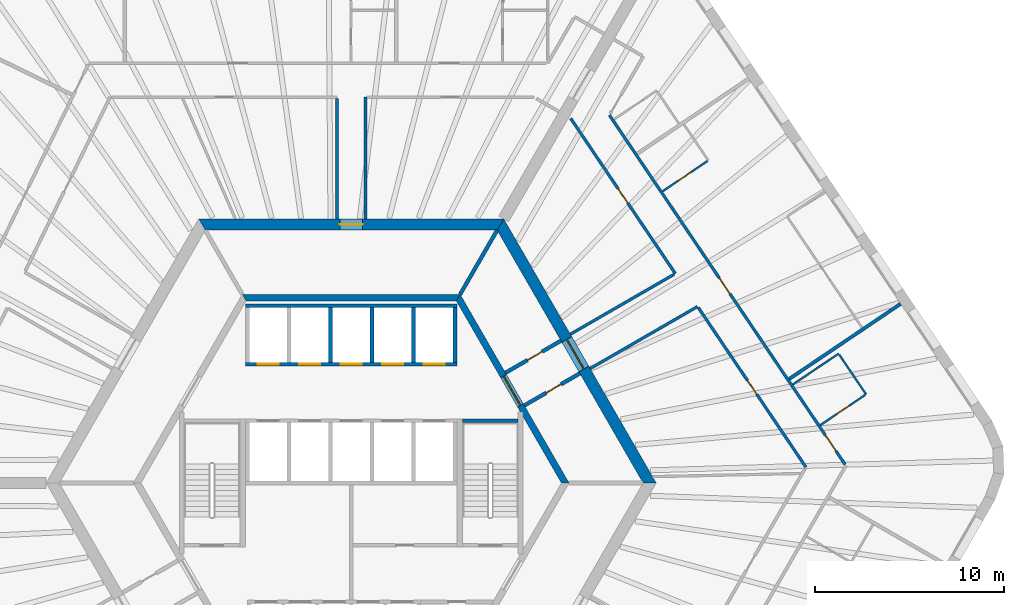
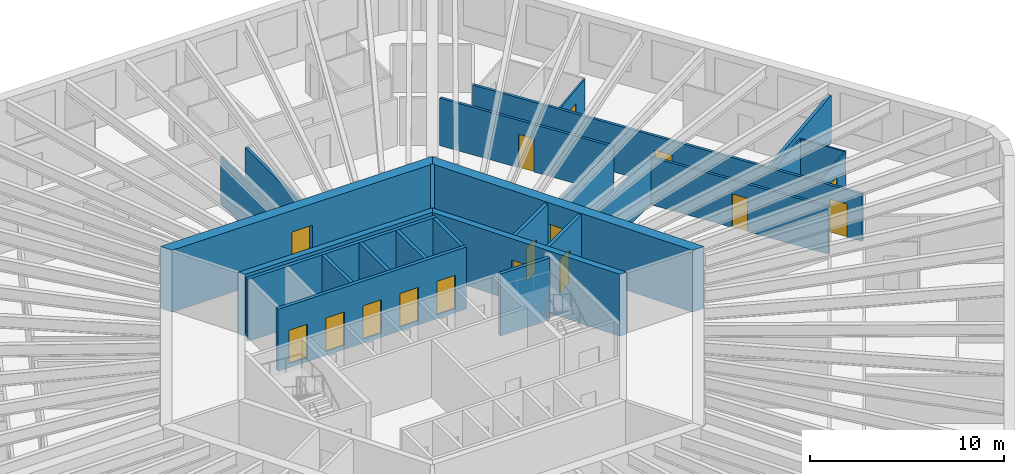
# One storey, part 9 of 12: 26 walls, 16 doors, 16 openings.
"""IFC4 building model written with IfcOpenShell, lengths in metres."""

from ifc_helpers import new_model, si_unit, direction, frame, frame_2d, origin, place, context, subcontext, project, spatial, polyline, rectangle, outline, extrude, material, layer, layer_set, type_object, element, fill, save


model = new_model("IFC4")

# Units and contexts
model_context = context("Model", 3, precision=1e-05, world=origin(), true_north=direction((0.0, 1.0)))
body_context = subcontext(model_context, "Body", "Model", "MODEL_VIEW")
ifc_project = project(units=[si_unit("LENGTHUNIT", "METRE"), si_unit("AREAUNIT", "SQUARE_METRE"), si_unit("VOLUMEUNIT", "CUBIC_METRE"), si_unit("PLANEANGLEUNIT", "RADIAN"), si_unit("MASSUNIT", "GRAM", prefix="KILO")], contexts=[model_context])

# Site, building, storey
site_placement = place(None, origin())
site = spatial("IfcSite", under=ifc_project, at=site_placement, CompositionType="ELEMENT")
building_placement = place(site_placement, origin())
building = spatial("IfcBuilding", under=site, at=building_placement, Name="Tarnside Tower", CompositionType="ELEMENT")
storey_placement = place(building_placement, frame((0.0, 0.0, 96.0)))
storey = spatial("IfcBuildingStorey", under=building, at=storey_placement, Name="L21", CompositionType="ELEMENT", Elevation=96.0)

# Walls
ifc_material_1 = material(Name="Gypsum board partition on steel studs", Category="steel")
ifc_layer_1 = layer(ifc_material_1, 0.10009765625)
ifc_layer_set_1 = layer_set([ifc_layer_1], Name="Bathroom wall 100")
wall_type_1 = type_object("IfcWallType", Name="Bathroom wall 100", PredefinedType="PARTITIONING", material=ifc_layer_set_1)
wall_1_placement = place(storey_placement, frame((23.407470703125, 5.220703125, 0.0), z_axis=(0.0, 0.0, 1.0), x_axis=(0.829007334469, 0.559237730663, 0.0)))
element("IfcWall", 1, at=wall_1_placement, inside=storey, type_object=wall_type_1, Name="Bathroom wall 06149", PredefinedType="PARTITIONING", context=body_context, shape_type="SweptSolid", body=[
    extrude(rectangle(XDim=2.925048828125, YDim=0.10009765625, at=frame_2d((1.46240234375, 0.0))), origin(), (0.0, 0.0, 1.0), 2.98779296875),
])
wall_2_placement = place(storey_placement, frame((25.8603515625, 6.81494140625, 0.0), z_axis=(0.0, 0.0, 1.0), x_axis=(0.559155442782, -0.829062838878, 0.0)))
element("IfcWall", 2, at=wall_2_placement, inside=storey, type_object=wall_type_1, Name="Bathroom wall 06150", PredefinedType="PARTITIONING", context=body_context, shape_type="SweptSolid", body=[
    extrude(rectangle(XDim=2.5498046875, YDim=0.10009765625, at=frame_2d((1.27490234375, 0.0))), origin(), (0.0, 0.0, 1.0), 2.98779296875),
])

# Wall, opening, door
wall_3_placement = place(storey_placement, frame((27.244873046875, 4.6728515625, 0.0), z_axis=(0.0, 0.0, 1.0), x_axis=(-0.82904649496, -0.559179675234, 0.0)))
wall_3 = element("IfcWall", 3, at=wall_3_placement, inside=storey, type_object=wall_type_1, Name="Bathroom wall 06151", PredefinedType="PARTITIONING", context=body_context, shape_type="SweptSolid", body=[
    extrude(rectangle(XDim=2.875, YDim=0.10009765625, at=frame_2d((1.4375, 0.0))), origin(), (0.0, 0.0, 1.0), 2.98779296875),
])
opening_1_placement = place(wall_3_placement, frame((1.050048828125, 0.0, 0.0)))
opening_1 = element("IfcOpeningElement", 4, at=opening_1_placement, cuts=wall_3, Name="Opening D-B1", PredefinedType="OPENING", context=body_context, shape_type="SweptSolid", body=[
    extrude(rectangle(XDim=0.800048828125, YDim=2.10009765625, at=frame_2d((0.39990234375, 1.050048828125))), frame((0.0, 0.06005859375, 0.0), z_axis=(0.0, -1.0, 0.0), x_axis=(1.0, 0.0, 0.0)), (0.0, 0.0, 1.0), 0.1201171875),
])
ifc_material_2 = material(Name="Timber door leaf", Category="wood")
door_type_1 = type_object("IfcDoorType", Name="Bathroom door 800", OperationType="NOTDEFINED", PredefinedType="DOOR", material=ifc_material_2)
door_1_placement = place(opening_1_placement, origin())
door_1 = element("IfcDoor", 5, at=door_1_placement, inside=storey, type_object=door_type_1, Name="Bathroom door 06036", OperationType="SINGLE_SWING_LEFT", OverallHeight=2.10009765625, OverallWidth=0.800048828125, PredefinedType="DOOR", context=body_context, shape_type="SweptSolid", body=[
    extrude(rectangle(XDim=0.800048828125, YDim=2.10009765625, at=frame_2d((0.39990234375, 1.050048828125))), frame((0.0, 0.02490234375, 0.0), z_axis=(0.0, -1.0, 0.0), x_axis=(1.0, 0.0, 0.0)), (0.0, 0.0, 1.0), 0.050048828125),
])
fill(opening_1, door_1)

wall_4_placement = place(storey_placement, frame((18.884765625, 17.06689453125, 0.0), z_axis=(0.0, 0.0, 1.0), x_axis=(-0.829019940088, -0.55921904379, 0.0)))
wall_4 = element("IfcWall", 6, at=wall_4_placement, inside=storey, type_object=wall_type_1, Name="Bathroom wall 06155", PredefinedType="PARTITIONING", context=body_context, shape_type="SweptSolid", body=[
    extrude(rectangle(XDim=2.874755859375, YDim=0.10009765625, at=frame_2d((1.4375, 0.0))), origin(), (0.0, 0.0, 1.0), 2.98779296875),
])
opening_2_placement = place(wall_4_placement, frame((1.050048828125, 0.0, 0.0)))
opening_2 = element("IfcOpeningElement", 7, at=opening_2_placement, cuts=wall_4, Name="Opening D-B1", PredefinedType="OPENING", context=body_context, shape_type="SweptSolid", body=[
    extrude(rectangle(XDim=0.800048828125, YDim=2.10009765625, at=frame_2d((0.39990234375, 1.050048828125))), frame((0.0, 0.06005859375, 0.0), z_axis=(0.0, -1.0, 0.0), x_axis=(1.0, 0.0, 0.0)), (0.0, 0.0, 1.0), 0.1201171875),
])
door_2_placement = place(opening_2_placement, origin())
door_2 = element("IfcDoor", 8, at=door_2_placement, inside=storey, type_object=door_type_1, Name="Bathroom door 06038", OperationType="SINGLE_SWING_LEFT", OverallHeight=2.10009765625, OverallWidth=0.800048828125, PredefinedType="DOOR", context=body_context, shape_type="SweptSolid", body=[
    extrude(rectangle(XDim=0.800048828125, YDim=2.10009765625, at=frame_2d((0.39990234375, 1.050048828125))), frame((0.0, 0.02490234375, 0.0), z_axis=(0.0, -1.0, 0.0), x_axis=(1.0, 0.0, 0.0)), (0.0, 0.0, 1.0), 0.050048828125),
])
fill(opening_2, door_2)

ifc_material_3 = material(Name="Concrete C50/60", Category="concrete")
ifc_layer_2 = layer(ifc_material_3, 0.35009765625)
ifc_layer_set_2 = layer_set([ifc_layer_2], Name="Core block wall 350 C50/60")
wall_type_2 = type_object("IfcWallType", Name="Core block wall 350 C50/60", PredefinedType="SHEAR", material=ifc_layer_set_2)
wall_5_placement = place(storey_placement, frame((11.344970703125, 0.0, -0.14990234375), z_axis=(0.0, 0.0, 1.0), x_axis=(-0.499995046907, 0.866028263435, 0.0)))
wall_5 = element("IfcWall", 9, at=wall_5_placement, inside=storey, type_object=wall_type_2, Name="L21 core block wall face 6", PredefinedType="SHEAR", context=body_context, shape_type="SweptSolid", body=[
    extrude(outline(polyline([(-0.10107421875, -0.175048828125), (11.44580078125, -0.175048828125), (11.24365234375, 0.175048828125), (0.10107421875, 0.175048828125), (-0.10107421875, -0.175048828125)])), origin(), (0.0, 0.0, 1.0), 3.89990234375),
])
opening_3_placement = place(wall_5_placement, frame((4.74365234375, 0.0, 0.14990234375)))
opening_3 = element("IfcOpeningElement", 10, at=opening_3_placement, cuts=wall_5, Name="Opening CD-LOB", PredefinedType="OPENING", context=body_context, shape_type="SweptSolid", body=[
    extrude(rectangle(XDim=1.800048828125, YDim=2.39990234375, at=frame_2d((0.89990234375, 1.199951171875))), frame((0.0, 0.18505859375, 0.0), z_axis=(0.0, -1.0, 0.0), x_axis=(1.0, 0.0, 0.0)), (0.0, 0.0, 1.0), 0.3701171875),
])
ifc_material_4 = material(Name="Steel fire door", Category="steel")
door_type_2 = type_object("IfcDoorType", Name="Lobby double door FD30S 1800x2400", OperationType="NOTDEFINED", PredefinedType="DOOR", material=ifc_material_4)
door_3_placement = place(opening_3_placement, origin())
door_3 = element("IfcDoor", 11, at=door_3_placement, inside=storey, type_object=door_type_2, Name="L21 lobby block door P2", OperationType="DOUBLE_DOOR_SINGLE_SWING", OverallHeight=2.39990234375, OverallWidth=1.800048828125, PredefinedType="DOOR", context=body_context, shape_type="SweptSolid", body=[
    extrude(rectangle(XDim=1.800048828125, YDim=2.39990234375, at=frame_2d((0.89990234375, 1.199951171875))), frame((0.0, 0.02490234375, 0.0), z_axis=(0.0, -1.0, 0.0), x_axis=(1.0, 0.0, 0.0)), (0.0, 0.0, 1.0), 0.050048828125),
])
fill(opening_3, door_3)

# Wall
wall_6_placement = place(storey_placement, frame((5.672607421875, 9.824951171875, -0.14990234375), z_axis=(0.0, 0.0, 1.0), x_axis=(-1.0, 0.0, 0.0)))
element("IfcWall", 12, at=wall_6_placement, inside=storey, type_object=wall_type_2, Name="L21 core block wall face 1", PredefinedType="SHEAR", context=body_context, shape_type="SweptSolid", body=[
    extrude(outline(polyline([(-0.10107421875, -0.175048828125), (11.4462890625, -0.175048828125), (11.244140625, 0.175048828125), (0.10107421875, 0.175048828125), (-0.10107421875, -0.175048828125)])), origin(), (0.0, 0.0, 1.0), 3.89990234375),
])

# Wall, opening, door
ifc_material_5 = material(Name="Concrete C40/50", Category="concrete")
ifc_layer_3 = layer(ifc_material_5, 0.199951171875)
ifc_layer_set_3 = layer_set([ifc_layer_3], Name="Core room partition 200 C40/50")
wall_type_3 = type_object("IfcWallType", Name="Core room partition 200 C40/50", PredefinedType="PARTITIONING", material=ifc_layer_set_3)
wall_7_placement = place(storey_placement, frame((8.1748046875, 5.841064453125, 0.0), z_axis=(0.0, 0.0, 1.0), x_axis=(0.866020560687, 0.500008388397, 0.0)))
wall_7 = element("IfcWall", 13, at=wall_7_placement, inside=storey, type_object=wall_type_3, Name="L21 core partition AC5L", PredefinedType="PARTITIONING", context=body_context, shape_type="SweptSolid", body=[
    extrude(rectangle(XDim=3.39990234375, YDim=0.199951171875, at=frame_2d((1.699951171875, 0.0))), origin(), (0.0, 0.0, 1.0), 3.64990234375),
])
opening_4_placement = place(wall_7_placement, frame((1.349609375, 0.0, 0.0)))
opening_4 = element("IfcOpeningElement", 14, at=opening_4_placement, cuts=wall_7, Name="Opening CD-room", PredefinedType="OPENING", context=body_context, shape_type="SweptSolid", body=[
    extrude(rectangle(XDim=0.89990234375, YDim=2.10009765625, at=frame_2d((0.449951171875, 1.050048828125))), frame((0.0, 0.10986328125, 0.0), z_axis=(0.0, -1.0, 0.0), x_axis=(1.0, 0.0, 0.0)), (0.0, 0.0, 1.0), 0.219970703125),
])
door_type_3 = type_object("IfcDoorType", Name="Room door FD60 900x2100", OperationType="NOTDEFINED", PredefinedType="DOOR", material=ifc_material_4)
door_4_placement = place(opening_4_placement, origin())
door_4 = element("IfcDoor", 15, at=door_4_placement, inside=storey, type_object=door_type_3, Name="L21 core room door AX5L", OperationType="SINGLE_SWING_LEFT", OverallHeight=2.10009765625, OverallWidth=0.89990234375, PredefinedType="DOOR", context=body_context, shape_type="SweptSolid", body=[
    extrude(rectangle(XDim=0.89990234375, YDim=2.10009765625, at=frame_2d((0.449951171875, 1.050048828125))), frame((0.0, 0.02490234375, 0.0), z_axis=(0.0, -1.0, 0.0), x_axis=(1.0, 0.0, 0.0)), (0.0, 0.0, 1.0), 0.050048828125),
])
fill(opening_4, door_4)

wall_8_placement = place(storey_placement, frame((9.1748046875, 4.10888671875, 0.0), z_axis=(0.0, 0.0, 1.0), x_axis=(0.865989465428, 0.500062241894, 0.0)))
wall_8 = element("IfcWall", 16, at=wall_8_placement, inside=storey, type_object=wall_type_3, Name="L21 core partition AC5R", PredefinedType="PARTITIONING", context=body_context, shape_type="SweptSolid", body=[
    extrude(rectangle(XDim=3.39990234375, YDim=0.199951171875, at=frame_2d((1.699951171875, 0.0))), origin(), (0.0, 0.0, 1.0), 3.64990234375),
])
opening_5_placement = place(wall_8_placement, frame((1.3505859375, 0.0, 0.0)))
opening_5 = element("IfcOpeningElement", 17, at=opening_5_placement, cuts=wall_8, Name="Opening CD-room", PredefinedType="OPENING", context=body_context, shape_type="SweptSolid", body=[
    extrude(rectangle(XDim=0.89990234375, YDim=2.10009765625, at=frame_2d((0.449951171875, 1.050048828125))), frame((0.0, 0.10986328125, 0.0), z_axis=(0.0, -1.0, 0.0), x_axis=(1.0, 0.0, 0.0)), (0.0, 0.0, 1.0), 0.219970703125),
])
door_5_placement = place(opening_5_placement, origin())
door_5 = element("IfcDoor", 18, at=door_5_placement, inside=storey, type_object=door_type_3, Name="L21 core room door AX5R", OperationType="SINGLE_SWING_LEFT", OverallHeight=2.10009765625, OverallWidth=0.89990234375, PredefinedType="DOOR", context=body_context, shape_type="SweptSolid", body=[
    extrude(rectangle(XDim=0.89990234375, YDim=2.10009765625, at=frame_2d((0.449951171875, 1.050048828125))), frame((0.0, 0.02490234375, 0.0), z_axis=(0.0, -1.0, 0.0), x_axis=(1.0, 0.0, 0.0)), (0.0, 0.0, 1.0), 0.050048828125),
])
fill(opening_5, door_5)

ifc_material_6 = material(Name="Concrete C80/95", Category="concrete")
ifc_layer_4 = layer(ifc_material_6, 0.60009765625)
ifc_layer_set_4 = layer_set([ifc_layer_4], Name="Core wall Z1 600 C80/95")
wall_type_4 = type_object("IfcWallType", Name="Core wall Z1 600 C80/95", PredefinedType="SHEAR", material=ifc_layer_set_4)
wall_9_placement = place(storey_placement, frame((15.8193359375, 0.0, -0.14990234375), z_axis=(0.0, 0.0, 1.0), x_axis=(-0.499999880136, 0.866025472988, 0.0)))
wall_9 = element("IfcWall", 19, at=wall_9_placement, inside=storey, type_object=wall_type_4, Name="L21 core wall face 6", PredefinedType="SHEAR", context=body_context, shape_type="SweptSolid", body=[
    extrude(outline(polyline([(-0.17333984375, -0.300048828125), (15.99267578125, -0.300048828125), (15.64599609375, 0.300048828125), (0.17333984375, 0.300048828125), (-0.17333984375, -0.300048828125)])), origin(), (0.0, 0.0, 1.0), 3.89990234375),
])
opening_6_placement = place(wall_9_placement, frame((6.980712890625, 0.0, 0.14990234375)))
opening_6 = element("IfcOpeningElement", 20, at=opening_6_placement, cuts=wall_9, Name="Opening CD-LOB", PredefinedType="OPENING", context=body_context, shape_type="SweptSolid", body=[
    extrude(rectangle(XDim=1.800048828125, YDim=2.39990234375, at=frame_2d((0.89990234375, 1.199951171875))), frame((0.0, 0.31005859375, 0.0), z_axis=(0.0, -1.0, 0.0), x_axis=(1.0, 0.0, 0.0)), (0.0, 0.0, 1.0), 0.6201171875),
])
door_6_placement = place(opening_6_placement, origin())
door_6 = element("IfcDoor", 21, at=door_6_placement, inside=storey, type_object=door_type_2, Name="L21 core door P2", OperationType="DOUBLE_DOOR_SINGLE_SWING", OverallHeight=2.39990234375, OverallWidth=1.800048828125, PredefinedType="DOOR", context=body_context, shape_type="SweptSolid", body=[
    extrude(rectangle(XDim=1.800048828125, YDim=2.39990234375, at=frame_2d((0.89990234375, 1.199951171875))), frame((0.0, 0.02490234375, 0.0), z_axis=(0.0, -1.0, 0.0), x_axis=(1.0, 0.0, 0.0)), (0.0, 0.0, 1.0), 0.050048828125),
])
fill(opening_6, door_6)

wall_10_placement = place(storey_placement, frame((7.90966796875, 13.699951171875, -0.14990234375), z_axis=(0.0, 0.0, 1.0), x_axis=(-1.0, 0.0, 0.0)))
wall_10 = element("IfcWall", 22, at=wall_10_placement, inside=storey, type_object=wall_type_4, Name="L21 core wall face 1", PredefinedType="SHEAR", context=body_context, shape_type="SweptSolid", body=[
    extrude(outline(polyline([(-0.17333984375, -0.300048828125), (15.99267578125, -0.300048828125), (15.64599609375, 0.300048828125), (0.17333984375, 0.300048828125), (-0.17333984375, -0.300048828125)])), origin(), (0.0, 0.0, 1.0), 3.89990234375),
])
opening_7_placement = place(wall_10_placement, frame((7.309814453125, 0.0, 0.14990234375)))
opening_7 = element("IfcOpeningElement", 23, at=opening_7_placement, cuts=wall_10, Name="Opening CD-RSR", PredefinedType="OPENING", context=body_context, shape_type="SweptSolid", body=[
    extrude(rectangle(XDim=1.199951171875, YDim=2.39990234375, at=frame_2d((0.60009765625, 1.199951171875))), frame((0.0, 0.31005859375, 0.0), z_axis=(0.0, -1.0, 0.0), x_axis=(1.0, 0.0, 0.0)), (0.0, 0.0, 1.0), 0.6201171875),
])
door_type_4 = type_object("IfcDoorType", Name="Riser door FD60 1200x2400", OperationType="NOTDEFINED", PredefinedType="DOOR", material=ifc_material_4)
door_7_placement = place(opening_7_placement, origin())
door_7 = element("IfcDoor", 24, at=door_7_placement, inside=storey, type_object=door_type_4, Name="L21 core door S5", OperationType="SINGLE_SWING_LEFT", OverallHeight=2.39990234375, OverallWidth=1.199951171875, PredefinedType="DOOR", context=body_context, shape_type="SweptSolid", body=[
    extrude(rectangle(XDim=1.199951171875, YDim=2.39990234375, at=frame_2d((0.60009765625, 1.199951171875))), frame((0.0, 0.02490234375, 0.0), z_axis=(0.0, -1.0, 0.0), x_axis=(1.0, 0.0, 0.0)), (0.0, 0.0, 1.0), 0.050048828125),
])
fill(opening_7, door_7)

# Walls
ifc_layer_5 = layer(ifc_material_1, 0.14990234375)
ifc_layer_set_5 = layer_set([ifc_layer_5], Name="Corridor wall 150 EI 60")
wall_type_5 = type_object("IfcWallType", Name="Corridor wall 150 EI 60", PredefinedType="PARTITIONING", material=ifc_layer_set_5)
wall_11_placement = place(storey_placement, frame((-0.75, 20.375, 0.0), z_axis=(0.0, 0.0, 1.0), x_axis=(0.0, -1.0, 0.0)))
element("IfcWall", 25, at=wall_11_placement, inside=storey, type_object=wall_type_5, Name="Corridor wall 06016", PredefinedType="PARTITIONING", context=body_context, shape_type="SweptSolid", body=[
    extrude(rectangle(XDim=6.375, YDim=0.14990234375, at=frame_2d((3.1875, 0.0))), origin(), (0.0, 0.0, 1.0), 2.98779296875),
])
wall_12_placement = place(storey_placement, frame((0.75, 14.0, 0.0), z_axis=(0.0, 0.0, 1.0), x_axis=(0.0, 1.0, 0.0)))
element("IfcWall", 26, at=wall_12_placement, inside=storey, type_object=wall_type_5, Name="Corridor wall 06020", PredefinedType="PARTITIONING", context=body_context, shape_type="SweptSolid", body=[
    extrude(rectangle(XDim=6.449951171875, YDim=0.14990234375, at=frame_2d((3.22509765625, 0.0))), origin(), (0.0, 0.0, 1.0), 2.98779296875),
])

# Wall, openings, doors
wall_13_placement = place(storey_placement, frame((26.174072265625, 0.98486328125, 0.0), z_axis=(0.0, 0.0, 1.0), x_axis=(-0.559199676409, 0.82903300411, 0.0)))
wall_13 = element("IfcWall", 27, at=wall_13_placement, inside=storey, type_object=wall_type_5, Name="Corridor wall 06056", PredefinedType="PARTITIONING", context=body_context, shape_type="SweptSolid", body=[
    extrude(rectangle(XDim=22.33544921875, YDim=0.14990234375, at=frame_2d((11.167724609375, 0.0))), origin(), (0.0, 0.0, 1.0), 2.98779296875),
])
opening_8_placement = place(wall_13_placement, frame((0.86279296875, 0.0, 0.0)))
opening_8 = element("IfcOpeningElement", 28, at=opening_8_placement, cuts=wall_13, Name="Opening D-E1", PredefinedType="OPENING", context=body_context, shape_type="SweptSolid", body=[
    extrude(rectangle(XDim=1.0, YDim=2.10009765625, at=frame_2d((0.5, 1.050048828125))), frame((0.0, 0.0849609375, 0.0), z_axis=(0.0, -1.0, 0.0), x_axis=(1.0, 0.0, 0.0)), (0.0, 0.0, 1.0), 0.169921875),
])
opening_9_placement = place(wall_13_placement, frame((10.90869140625, 0.0, 0.0)))
opening_9 = element("IfcOpeningElement", 29, at=opening_9_placement, cuts=wall_13, Name="Opening D-E1", PredefinedType="OPENING", context=body_context, shape_type="SweptSolid", body=[
    extrude(rectangle(XDim=1.0, YDim=2.10009765625, at=frame_2d((0.5, 1.050048828125))), frame((0.0, 0.0849609375, 0.0), z_axis=(0.0, -1.0, 0.0), x_axis=(1.0, 0.0, 0.0)), (0.0, 0.0, 1.0), 0.169921875),
])
door_type_5 = type_object("IfcDoorType", Name="Unit entrance door 1000 FD30S", OperationType="NOTDEFINED", PredefinedType="DOOR", material=ifc_material_2)
door_8_placement = place(opening_8_placement, origin())
door_8 = element("IfcDoor", 30, at=door_8_placement, inside=storey, type_object=door_type_5, Name="Unit door 06035", OperationType="SINGLE_SWING_RIGHT", OverallHeight=2.10009765625, OverallWidth=1.0, PredefinedType="DOOR", context=body_context, shape_type="SweptSolid", body=[
    extrude(rectangle(XDim=1.0, YDim=2.10009765625, at=frame_2d((0.5, 1.050048828125))), frame((0.0, 0.02490234375, 0.0), z_axis=(0.0, -1.0, 0.0), x_axis=(1.0, 0.0, 0.0)), (0.0, 0.0, 1.0), 0.050048828125),
])
fill(opening_8, door_8)
door_9_placement = place(opening_9_placement, origin())
door_9 = element("IfcDoor", 31, at=door_9_placement, inside=storey, type_object=door_type_5, Name="Unit door 06037", OperationType="SINGLE_SWING_RIGHT", OverallHeight=2.10009765625, OverallWidth=1.0, PredefinedType="DOOR", context=body_context, shape_type="SweptSolid", body=[
    extrude(rectangle(XDim=1.0, YDim=2.10009765625, at=frame_2d((0.5, 1.050048828125))), frame((0.0, 0.02490234375, 0.0), z_axis=(0.0, -1.0, 0.0), x_axis=(1.0, 0.0, 0.0)), (0.0, 0.0, 1.0), 0.050048828125),
])
fill(opening_9, door_9)

# Wall
wall_14_placement = place(storey_placement, frame((12.663818359375, 6.065673828125, 0.0), z_axis=(0.0, 0.0, 1.0), x_axis=(0.866027295802, 0.499996722915, 0.0)))
element("IfcWall", 32, at=wall_14_placement, inside=storey, type_object=wall_type_5, Name="Corridor wall 06068", PredefinedType="PARTITIONING", context=body_context, shape_type="SweptSolid", body=[
    extrude(rectangle(XDim=6.5751953125, YDim=0.14990234375, at=frame_2d((3.28759765625, 0.0))), origin(), (0.0, 0.0, 1.0), 2.98779296875),
])

# Wall, opening, door
wall_15_placement = place(storey_placement, frame((18.400390625, 9.291015625, 0.0), z_axis=(0.0, 0.0, 1.0), x_axis=(0.559191829043, -0.829038297265, 0.0)))
wall_15 = element("IfcWall", 33, at=wall_15_placement, inside=storey, type_object=wall_type_5, Name="Corridor wall 06069", PredefinedType="PARTITIONING", context=body_context, shape_type="SweptSolid", body=[
    extrude(rectangle(XDim=10.19189453125, YDim=0.14990234375, at=frame_2d((5.095947265625, 0.0))), origin(), (0.0, 0.0, 1.0), 2.98779296875),
])
opening_10_placement = place(wall_15_placement, frame((4.64599609375, 0.0, 0.0)))
opening_10 = element("IfcOpeningElement", 34, at=opening_10_placement, cuts=wall_15, Name="Opening D-S1", PredefinedType="OPENING", context=body_context, shape_type="SweptSolid", body=[
    extrude(rectangle(XDim=0.89990234375, YDim=2.10009765625, at=frame_2d((0.449951171875, 1.050048828125))), frame((0.0, 0.0849609375, 0.0), z_axis=(0.0, -1.0, 0.0), x_axis=(1.0, 0.0, 0.0)), (0.0, 0.0, 1.0), 0.169921875),
])
door_type_6 = type_object("IfcDoorType", Name="Service room door 900 FD30S", OperationType="NOTDEFINED", PredefinedType="DOOR", material=ifc_material_2)
door_10_placement = place(opening_10_placement, origin())
door_10 = element("IfcDoor", 35, at=door_10_placement, inside=storey, type_object=door_type_6, Name="Service door 06051", OperationType="SINGLE_SWING_RIGHT", OverallHeight=2.10009765625, OverallWidth=0.89990234375, PredefinedType="DOOR", context=body_context, shape_type="SweptSolid", body=[
    extrude(rectangle(XDim=0.89990234375, YDim=2.10009765625, at=frame_2d((0.449951171875, 1.050048828125))), frame((0.0, 0.02490234375, 0.0), z_axis=(0.0, -1.0, 0.0), x_axis=(1.0, 0.0, 0.0)), (0.0, 0.0, 1.0), 0.050048828125),
])
fill(opening_10, door_10)

wall_16_placement = place(storey_placement, frame((11.631591796875, 19.326171875, 0.0), z_axis=(0.0, 0.0, 1.0), x_axis=(0.559193968377, -0.829036854266, 0.0)))
wall_16 = element("IfcWall", 36, at=wall_16_placement, inside=storey, type_object=wall_type_5, Name="Corridor wall 06074", PredefinedType="PARTITIONING", context=body_context, shape_type="SweptSolid", body=[
    extrude(rectangle(XDim=9.92431640625, YDim=0.14990234375, at=frame_2d((4.962158203125, 0.0))), origin(), (0.0, 0.0, 1.0), 2.98779296875),
])
opening_11_placement = place(wall_16_placement, frame((4.51220703125, 0.0, 0.0)))
opening_11 = element("IfcOpeningElement", 37, at=opening_11_placement, cuts=wall_16, Name="Opening D-S1", PredefinedType="OPENING", context=body_context, shape_type="SweptSolid", body=[
    extrude(rectangle(XDim=0.89990234375, YDim=2.10009765625, at=frame_2d((0.449951171875, 1.050048828125))), frame((0.0, 0.0849609375, 0.0), z_axis=(0.0, -1.0, 0.0), x_axis=(1.0, 0.0, 0.0)), (0.0, 0.0, 1.0), 0.169921875),
])
door_11_placement = place(opening_11_placement, origin())
door_11 = element("IfcDoor", 38, at=door_11_placement, inside=storey, type_object=door_type_6, Name="Service door 06053", OperationType="SINGLE_SWING_LEFT", OverallHeight=2.10009765625, OverallWidth=0.89990234375, PredefinedType="DOOR", context=body_context, shape_type="SweptSolid", body=[
    extrude(rectangle(XDim=0.89990234375, YDim=2.10009765625, at=frame_2d((0.449951171875, 1.050048828125))), frame((0.0, 0.02490234375, 0.0), z_axis=(0.0, -1.0, 0.0), x_axis=(1.0, 0.0, 0.0)), (0.0, 0.0, 1.0), 0.050048828125),
])
fill(opening_11, door_11)

# Walls
wall_17_placement = place(storey_placement, frame((17.115966796875, 11.06103515625, 0.0), z_axis=(0.0, 0.0, 1.0), x_axis=(-0.866021127751, -0.500007406234, 0.0)))
element("IfcWall", 39, at=wall_17_placement, inside=storey, type_object=wall_type_5, Name="Corridor wall 06075", PredefinedType="PARTITIONING", context=body_context, shape_type="SweptSolid", body=[
    extrude(rectangle(XDim=6.353515625, YDim=0.14990234375, at=frame_2d((3.1767578125, 0.0))), origin(), (0.0, 0.0, 1.0), 2.98779296875),
])
ifc_layer_6 = layer(ifc_material_1, 0.179931640625)
ifc_layer_set_6 = layer_set([ifc_layer_6], Name="Demising wall 180 EI 60")
wall_type_6 = type_object("IfcWallType", Name="Demising wall 180 EI 60", PredefinedType="PARTITIONING", material=ifc_layer_set_6)
wall_18_placement = place(storey_placement, frame((29.11865234375, 9.4951171875, 0.0), z_axis=(0.0, 0.0, 1.0), x_axis=(-0.82903334026, -0.559199178055, 0.0)))
element("IfcWall", 40, at=wall_18_placement, inside=storey, type_object=wall_type_6, Name="Demising wall 06152", PredefinedType="PARTITIONING", context=body_context, shape_type="SweptSolid", body=[
    extrude(rectangle(XDim=7.125244140625, YDim=0.179931640625, at=frame_2d((3.5625, 0.0))), origin(), (0.0, 0.0, 1.0), 2.98779296875),
])

# Wall, openings, doors
ifc_layer_7 = layer(ifc_material_5, 0.199951171875)
ifc_layer_set_7 = layer_set([ifc_layer_7], Name="Lift shaft wall 200 C40/50")
wall_type_7 = type_object("IfcWallType", Name="Lift shaft wall 200 C40/50", PredefinedType="SHEAR", material=ifc_layer_set_7)
wall_19_placement = place(storey_placement, frame((-5.60009765625, 6.300048828125, -0.25), z_axis=(0.0, 0.0, 1.0), x_axis=(1.0, 0.0, 0.0)))
wall_19 = element("IfcWall", 41, at=wall_19_placement, inside=storey, type_object=wall_type_7, Name="L21 lift shaft front wall R1", PredefinedType="SHEAR", context=body_context, shape_type="SweptSolid", body=[
    extrude(rectangle(XDim=11.2001953125, YDim=0.199951171875, at=frame_2d((5.60009765625, 0.0))), origin(), (0.0, 0.0, 1.0), 3.89990234375),
])
opening_12_placement = place(wall_19_placement, frame((0.64990234375, 0.0, 0.25)))
opening_12 = element("IfcOpeningElement", 42, at=opening_12_placement, cuts=wall_19, Name="Opening LD", PredefinedType="OPENING", context=body_context, shape_type="SweptSolid", body=[
    extrude(rectangle(XDim=1.10009765625, YDim=2.10009765625, at=frame_2d((0.550048828125, 1.050048828125))), frame((0.0, 0.10986328125, 0.0), z_axis=(0.0, -1.0, 0.0), x_axis=(1.0, 0.0, 0.0)), (0.0, 0.0, 1.0), 0.219970703125),
])
opening_13_placement = place(wall_19_placement, frame((2.85009765625, 0.0, 0.25)))
opening_13 = element("IfcOpeningElement", 43, at=opening_13_placement, cuts=wall_19, Name="Opening LD", PredefinedType="OPENING", context=body_context, shape_type="SweptSolid", body=[
    extrude(rectangle(XDim=1.10009765625, YDim=2.10009765625, at=frame_2d((0.550048828125, 1.050048828125))), frame((0.0, 0.10986328125, 0.0), z_axis=(0.0, -1.0, 0.0), x_axis=(1.0, 0.0, 0.0)), (0.0, 0.0, 1.0), 0.219970703125),
])
opening_14_placement = place(wall_19_placement, frame((5.050048828125, 0.0, 0.25)))
opening_14 = element("IfcOpeningElement", 44, at=opening_14_placement, cuts=wall_19, Name="Opening LD", PredefinedType="OPENING", context=body_context, shape_type="SweptSolid", body=[
    extrude(rectangle(XDim=1.10009765625, YDim=2.10009765625, at=frame_2d((0.550048828125, 1.050048828125))), frame((0.0, 0.10986328125, 0.0), z_axis=(0.0, -1.0, 0.0), x_axis=(1.0, 0.0, 0.0)), (0.0, 0.0, 1.0), 0.219970703125),
])
opening_15_placement = place(wall_19_placement, frame((7.25, 0.0, 0.25)))
opening_15 = element("IfcOpeningElement", 45, at=opening_15_placement, cuts=wall_19, Name="Opening LD", PredefinedType="OPENING", context=body_context, shape_type="SweptSolid", body=[
    extrude(rectangle(XDim=1.10009765625, YDim=2.10009765625, at=frame_2d((0.550048828125, 1.050048828125))), frame((0.0, 0.10986328125, 0.0), z_axis=(0.0, -1.0, 0.0), x_axis=(1.0, 0.0, 0.0)), (0.0, 0.0, 1.0), 0.219970703125),
])
opening_16_placement = place(wall_19_placement, frame((9.449951171875, 0.0, 0.25)))
opening_16 = element("IfcOpeningElement", 46, at=opening_16_placement, cuts=wall_19, Name="Opening LD", PredefinedType="OPENING", context=body_context, shape_type="SweptSolid", body=[
    extrude(rectangle(XDim=1.10009765625, YDim=2.10009765625, at=frame_2d((0.550048828125, 1.050048828125))), frame((0.0, 0.10986328125, 0.0), z_axis=(0.0, -1.0, 0.0), x_axis=(1.0, 0.0, 0.0)), (0.0, 0.0, 1.0), 0.219970703125),
])
ifc_material_7 = material(Name="Stainless steel", Category="steel")
door_type_7 = type_object("IfcDoorType", Name="Lift landing door 1100x2100", OperationType="NOTDEFINED", PredefinedType="DOOR", material=ifc_material_7)
door_12_placement = place(opening_12_placement, origin())
door_12 = element("IfcDoor", 47, at=door_12_placement, inside=storey, type_object=door_type_7, Name="Low-rise lift 1 landing door L21", OperationType="SLIDING_TO_LEFT", OverallHeight=2.10009765625, OverallWidth=1.10009765625, PredefinedType="DOOR", context=body_context, shape_type="SweptSolid", body=[
    extrude(rectangle(XDim=1.10009765625, YDim=2.10009765625, at=frame_2d((0.550048828125, 1.050048828125))), frame((0.0, 0.02490234375, 0.0), z_axis=(0.0, -1.0, 0.0), x_axis=(1.0, 0.0, 0.0)), (0.0, 0.0, 1.0), 0.050048828125),
])
fill(opening_12, door_12)
door_13_placement = place(opening_13_placement, origin())
door_13 = element("IfcDoor", 48, at=door_13_placement, inside=storey, type_object=door_type_7, Name="Low-rise lift 2 landing door L21", OperationType="SLIDING_TO_LEFT", OverallHeight=2.10009765625, OverallWidth=1.10009765625, PredefinedType="DOOR", context=body_context, shape_type="SweptSolid", body=[
    extrude(rectangle(XDim=1.10009765625, YDim=2.10009765625, at=frame_2d((0.550048828125, 1.050048828125))), frame((0.0, 0.02490234375, 0.0), z_axis=(0.0, -1.0, 0.0), x_axis=(1.0, 0.0, 0.0)), (0.0, 0.0, 1.0), 0.050048828125),
])
fill(opening_13, door_13)
door_14_placement = place(opening_14_placement, origin())
door_14 = element("IfcDoor", 49, at=door_14_placement, inside=storey, type_object=door_type_7, Name="Low-rise lift 3 landing door L21", OperationType="SLIDING_TO_LEFT", OverallHeight=2.10009765625, OverallWidth=1.10009765625, PredefinedType="DOOR", context=body_context, shape_type="SweptSolid", body=[
    extrude(rectangle(XDim=1.10009765625, YDim=2.10009765625, at=frame_2d((0.550048828125, 1.050048828125))), frame((0.0, 0.02490234375, 0.0), z_axis=(0.0, -1.0, 0.0), x_axis=(1.0, 0.0, 0.0)), (0.0, 0.0, 1.0), 0.050048828125),
])
fill(opening_14, door_14)
door_15_placement = place(opening_15_placement, origin())
door_15 = element("IfcDoor", 50, at=door_15_placement, inside=storey, type_object=door_type_7, Name="Low sky-lobby shuttle 1 landing door L21", OperationType="SLIDING_TO_LEFT", OverallHeight=2.10009765625, OverallWidth=1.10009765625, PredefinedType="DOOR", context=body_context, shape_type="SweptSolid", body=[
    extrude(rectangle(XDim=1.10009765625, YDim=2.10009765625, at=frame_2d((0.550048828125, 1.050048828125))), frame((0.0, 0.02490234375, 0.0), z_axis=(0.0, -1.0, 0.0), x_axis=(1.0, 0.0, 0.0)), (0.0, 0.0, 1.0), 0.050048828125),
])
fill(opening_15, door_15)
door_16_placement = place(opening_16_placement, origin())
door_16 = element("IfcDoor", 51, at=door_16_placement, inside=storey, type_object=door_type_7, Name="Low sky-lobby shuttle 2 landing door L21", OperationType="SLIDING_TO_LEFT", OverallHeight=2.10009765625, OverallWidth=1.10009765625, PredefinedType="DOOR", context=body_context, shape_type="SweptSolid", body=[
    extrude(rectangle(XDim=1.10009765625, YDim=2.10009765625, at=frame_2d((0.550048828125, 1.050048828125))), frame((0.0, 0.02490234375, 0.0), z_axis=(0.0, -1.0, 0.0), x_axis=(1.0, 0.0, 0.0)), (0.0, 0.0, 1.0), 0.050048828125),
])
fill(opening_16, door_16)

# Walls
wall_20_placement = place(storey_placement, frame((-5.60009765625, 9.39990234375, -0.25), z_axis=(0.0, 0.0, 1.0), x_axis=(1.0, 0.0, 0.0)))
element("IfcWall", 52, at=wall_20_placement, inside=storey, type_object=wall_type_7, Name="L21 lift shaft back wall R1", PredefinedType="SHEAR", context=body_context, shape_type="SweptSolid", body=[
    extrude(rectangle(XDim=11.2001953125, YDim=0.199951171875, at=frame_2d((5.60009765625, 0.0))), origin(), (0.0, 0.0, 1.0), 3.89990234375),
])
for number, where, z_axis, x_axis, name in (
    (53, (-1.10009765625, 6.39990234375, -0.25), (0.0, 0.0, 1.0), (0.0, 1.0, 0.0), "L21 lift shaft partition R13"),
    (54, (1.10009765625, 6.39990234375, -0.25), (0.0, 0.0, 1.0), (0.0, 1.0, 0.0), "L21 lift shaft partition R14"),
    (55, (3.300048828125, 6.39990234375, -0.25), (0.0, 0.0, 1.0), (0.0, 1.0, 0.0), "L21 lift shaft partition R15"),
    (56, (5.5, 6.39990234375, -0.25), (0.0, 0.0, 1.0), (0.0, 1.0, 0.0), "L21 lift shaft partition R16"),
):
    element("IfcWall", number, at=place(storey_placement, frame(where, z_axis=z_axis, x_axis=x_axis)), inside=storey, type_object=wall_type_7, Name=name, PredefinedType="SHEAR", context=body_context, shape_type="SweptSolid", body=[
        extrude(rectangle(XDim=2.900146484375, YDim=0.199951171875, at=frame_2d((1.4501953125, 0.0))), origin(), (0.0, 0.0, 1.0), 3.89990234375),
    ])
wall_21_placement = place(storey_placement, frame((5.7734375, 10.0, -0.14990234375), z_axis=(0.0, 0.0, 1.0), x_axis=(0.500038251005, 0.86600331843, 0.0)))
element("IfcWall", 57, at=wall_21_placement, inside=storey, type_object=wall_type_7, Name="L21 core partition AR60", PredefinedType="SHEAR", context=body_context, shape_type="SweptSolid", body=[
    extrude(rectangle(XDim=3.926025390625, YDim=0.199951171875, at=frame_2d((1.962890625, 0.0))), origin(), (0.0, 0.0, 1.0), 3.89990234375),
])
wall_22_placement = place(storey_placement, frame((5.89990234375, 3.300048828125, -0.25), z_axis=(0.0, 0.0, 1.0), x_axis=(1.0, 0.0, 0.0)))
element("IfcWall", 58, at=wall_22_placement, inside=storey, type_object=wall_type_7, Name="L21 stair 1 enclosure cap wall n", PredefinedType="SHEAR", context=body_context, shape_type="SweptSolid", body=[
    extrude(rectangle(XDim=2.9501953125, YDim=0.199951171875, at=frame_2d((1.47509765625, 0.0))), origin(), (0.0, 0.0, 1.0), 3.89990234375),
])

save(model, "model.ifc")
